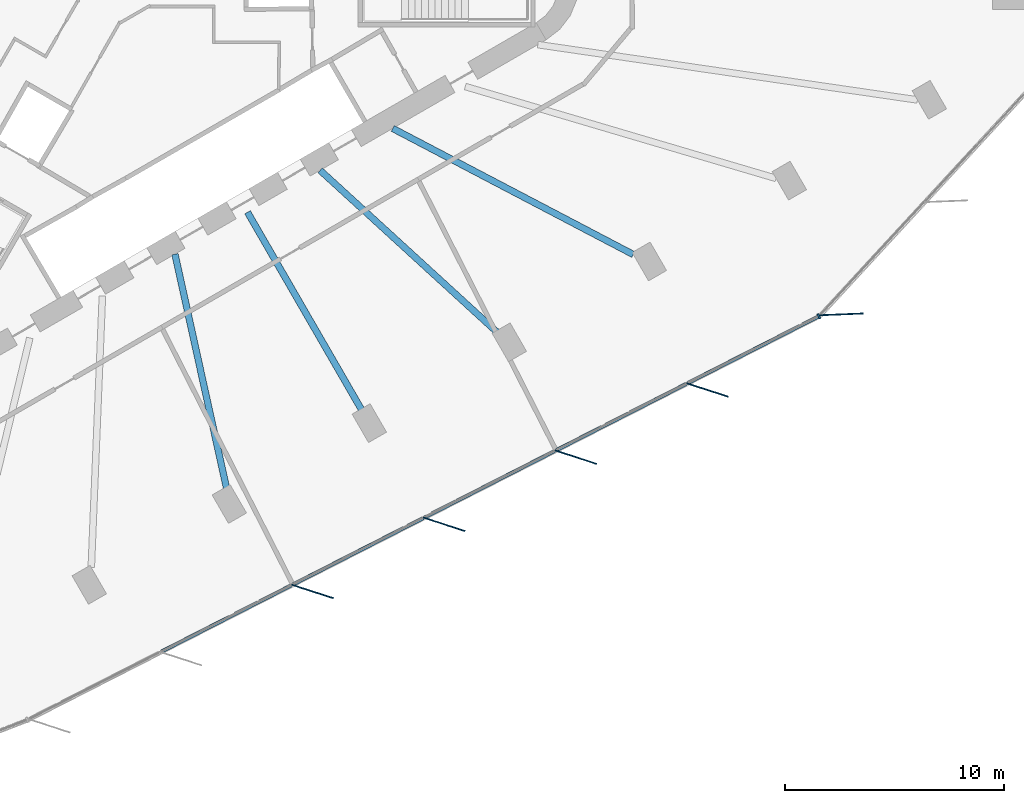
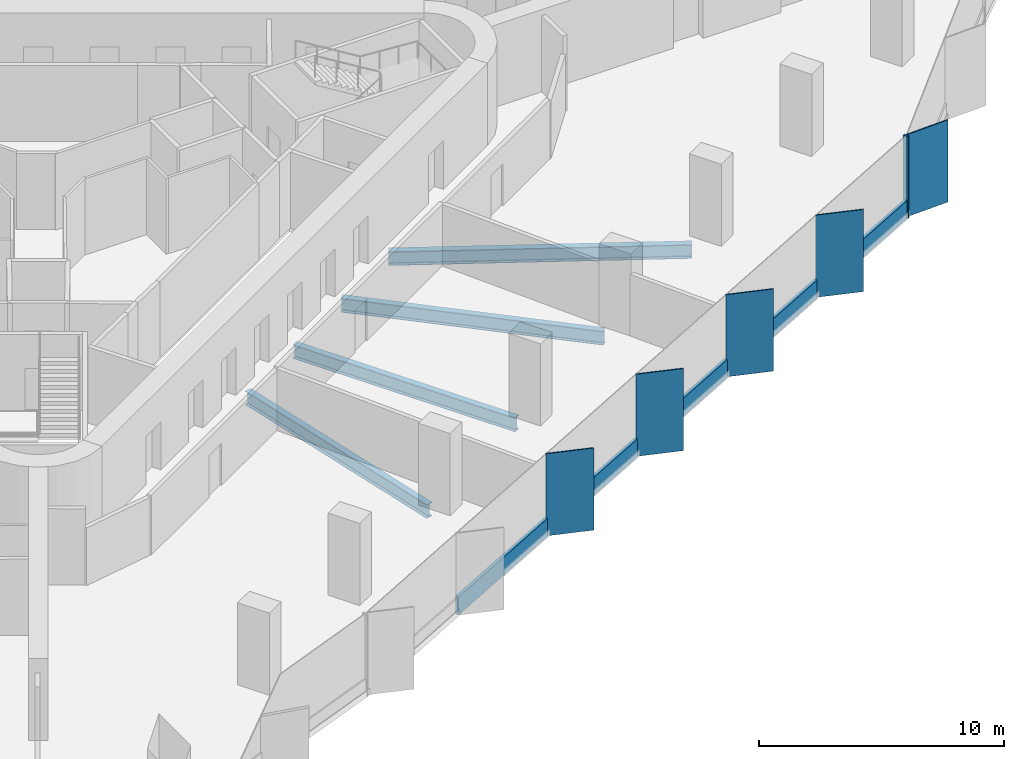
# One storey, part 3 of 14: 11 members, 4 beams, 2 elements without a shape of their own.
"""IFC4 building model written with IfcOpenShell, lengths in metres."""

from ifc_helpers import new_model, si_unit, direction, frame, origin, origin_2d, place, context, subcontext, project, spatial, rectangle, i_section, extrude, material, material_profile, profile_set, type_object, element, aggregate, save


model = new_model("IFC4")

# Units and contexts
model_context = context("Model", 3, precision=1e-05, world=origin(), true_north=direction((0.0, 1.0)))
body_context = subcontext(model_context, "Body", "Model", "MODEL_VIEW")
ifc_project = project(units=[si_unit("LENGTHUNIT", "METRE"), si_unit("AREAUNIT", "SQUARE_METRE"), si_unit("VOLUMEUNIT", "CUBIC_METRE"), si_unit("PLANEANGLEUNIT", "RADIAN"), si_unit("MASSUNIT", "GRAM", prefix="KILO")], contexts=[model_context])

# Site, building, storey
site_placement = place(None, origin())
site = spatial("IfcSite", under=ifc_project, at=site_placement, CompositionType="ELEMENT")
building_placement = place(site_placement, origin())
building = spatial("IfcBuilding", under=site, at=building_placement, Name="Tanit Gate Tower", CompositionType="ELEMENT")
storey_placement = place(building_placement, frame((0.0, 0.0, 70.10009765625)))
storey = spatial("IfcBuildingStorey", under=building, at=storey_placement, Name="L13", CompositionType="ELEMENT", Elevation=70.10009765625)

# Curtain wall, members
ifc_material_1 = material(Name="Aluminium bronze anodised and glass", Category="aluminium")
curtain_wall_type = type_object("IfcCurtainWallType", Name="Curtain wall typical low", PredefinedType="NOTDEFINED", material=ifc_material_1)
curtain_wall_1_placement = place(storey_placement, origin())
curtain_wall_1 = element("IfcCurtainWall", 1, at=curtain_wall_1_placement, inside=storey, type_object=curtain_wall_type, Name="Curtain wall L13 SE2", PredefinedType="NOTDEFINED")
ifc_material_2 = material(Name="Aluminium bronze anodised", Category="aluminium")
ifc_material_profile_1 = material_profile(ifc_material_2, rectangle(XDim=2.0, YDim=0.055908203125, at=origin_2d()), Name="56x2000 bronze fin mullion")
ifc_profile_set_1 = profile_set([ifc_material_profile_1], Name="Aluminium bronze anodised")
member_type_1 = type_object("IfcMemberType", Name="FIN MULLION 56x2000 bronze", PredefinedType="MULLION", material=ifc_profile_set_1)
member_1_placement = place(storey_placement, frame((9.023681640625, -27.818603515625, -0.300048828125), z_axis=(0.0, 0.0, 1.0), x_axis=(-0.951202192353, 0.308568289465, 0.0)))
member_1 = element("IfcMember", 2, at=member_1_placement, type_object=member_type_1, Name="Fin mullion L13 SE2.3", PredefinedType="MULLION", context=body_context, shape_type="SweptSolid", body=[
    extrude(rectangle(XDim=2.0, YDim=0.055908203125, at=origin_2d()), origin(), (0.0, 0.0, 1.0), 4.099853515625),
])
member_2_placement = place(storey_placement, frame((15.04248046875, -24.748291015625, -0.300048828125), z_axis=(0.0, 0.0, 1.0), x_axis=(-0.951202192353, 0.308568289465, 0.0)))
member_2 = element("IfcMember", 3, at=member_2_placement, type_object=member_type_1, Name="Fin mullion L13 SE2.4", PredefinedType="MULLION", context=body_context, shape_type="SweptSolid", body=[
    extrude(rectangle(XDim=2.0, YDim=0.055908203125, at=origin_2d()), origin(), (0.0, 0.0, 1.0), 4.099853515625),
])
member_3_placement = place(storey_placement, frame((21.061279296875, -21.677978515625, -0.300048828125), z_axis=(0.0, 0.0, 1.0), x_axis=(-0.951202192353, 0.308568289465, 0.0)))
member_3 = element("IfcMember", 4, at=member_3_placement, type_object=member_type_1, Name="Fin mullion L13 SE2.5", PredefinedType="MULLION", context=body_context, shape_type="SweptSolid", body=[
    extrude(rectangle(XDim=2.0, YDim=0.055908203125, at=origin_2d()), origin(), (0.0, 0.0, 1.0), 4.099853515625),
])
member_4_placement = place(storey_placement, frame((27.080078125, -18.607666015625, -0.300048828125), z_axis=(0.0, 0.0, 1.0), x_axis=(-0.951202192353, 0.308568289465, 0.0)))
member_4 = element("IfcMember", 5, at=member_4_placement, type_object=member_type_1, Name="Fin mullion L13 SE2.6", PredefinedType="MULLION", context=body_context, shape_type="SweptSolid", body=[
    extrude(rectangle(XDim=2.0, YDim=0.055908203125, at=origin_2d()), origin(), (0.0, 0.0, 1.0), 4.099853515625),
])

# Curtain wall, member
curtain_wall_2_placement = place(storey_placement, origin())
curtain_wall_2 = element("IfcCurtainWall", 6, at=curtain_wall_2_placement, inside=storey, type_object=curtain_wall_type, Name="Curtain wall L13 SE3", PredefinedType="NOTDEFINED")
member_5_placement = place(storey_placement, frame((33.20849609375, -15.14892578125, -0.300048828125), z_axis=(0.0, 0.0, 1.0), x_axis=(-0.999188560879, -0.040276789942, 0.0)))
member_5 = element("IfcMember", 7, at=member_5_placement, type_object=member_type_1, Name="Fin mullion L13 SE3.1", PredefinedType="MULLION", context=body_context, shape_type="SweptSolid", body=[
    extrude(rectangle(XDim=2.0, YDim=0.055908203125, at=origin_2d()), origin(), (0.0, 0.0, 1.0), 4.099853515625),
])
aggregate(curtain_wall_2, [member_5])

# Member
ifc_material_3 = material(Name="Aluminium bronze anodised", Category="aluminium")
ifc_material_profile_2 = material_profile(ifc_material_3, rectangle(XDim=0.239990234375, YDim=0.080078125, at=origin_2d()), Name="80x240 bronze mullion")
ifc_profile_set_2 = profile_set([ifc_material_profile_2], Name="Aluminium bronze anodised")
member_type_2 = type_object("IfcMemberType", Name="Mullion 80x240 typical low", PredefinedType="MULLION", material=ifc_profile_set_2)
member_6_placement = place(storey_placement, frame((32.169189453125, -15.23583984375, -0.300048828125), z_axis=(0.0, 0.0, 1.0), x_axis=(-0.454410790552, 0.890792250432, 0.0)))
member_6 = element("IfcMember", 8, at=member_6_placement, type_object=member_type_2, Name="Mullion L13 SE2.7", PredefinedType="MULLION", context=body_context, shape_type="SweptSolid", body=[
    extrude(rectangle(XDim=0.239990234375, YDim=0.080078125, at=origin_2d()), origin(), (0.0, 0.0, 1.0), 4.099853515625),
])

# Beams
ifc_material_4 = material(Name="Steel S355", Category="steel")
ifc_material_profile_3 = material_profile(ifc_material_4, i_section(OverallWidth=0.300048828125, OverallDepth=0.68994140625, WebThickness=0.014404296875, FlangeThickness=0.027099609375, FilletRadius=0.027099609375, at=origin_2d()), Name="HEA 700")
ifc_profile_set_3 = profile_set([ifc_material_profile_3], Name="Steel S355")
beam_type = type_object("IfcBeamType", Name="RADIAL GIRDER HEA 700 S355", PredefinedType="BEAM", material=ifc_profile_set_3)
beam_1_placement = place(storey_placement, frame((5.101806640625, -23.144287109375, -0.64501953125), z_axis=(-0.215262511862, 0.976556220085, 0.0), x_axis=(-0.976556220085, -0.215262511862, 0.0)))
element("IfcBeam", 9, at=beam_1_placement, inside=storey, type_object=beam_type, Name="RADIAL GIRDER", PredefinedType="BEAM", context=body_context, shape_type="SweptSolid", body=[
    extrude(i_section(OverallWidth=0.300048828125, OverallDepth=0.68994140625, WebThickness=0.014404296875, FlangeThickness=0.027099609375, FilletRadius=0.027099609375, at=origin_2d()), origin(), (0.0, 0.0, 1.0), 11.005859375),
])
beam_2_placement = place(storey_placement, frame((11.29736328125, -19.5673828125, -0.64501953125), z_axis=(-0.500010476433, 0.866019355129, 0.0), x_axis=(-0.866019355129, -0.500010476433, 0.0)))
element("IfcBeam", 10, at=beam_2_placement, inside=storey, type_object=beam_type, Name="RADIAL GIRDER", PredefinedType="BEAM", context=body_context, shape_type="SweptSolid", body=[
    extrude(i_section(OverallWidth=0.300048828125, OverallDepth=0.68994140625, WebThickness=0.014404296875, FlangeThickness=0.027099609375, FilletRadius=0.027099609375, at=origin_2d()), origin(), (0.0, 0.0, 1.0), 10.492431640625),
])
beam_3_placement = place(storey_placement, frame((17.492919921875, -15.990478515625, -0.64501953125), z_axis=(-0.738094457914, 0.674697392315, 0.0), x_axis=(-0.674697392315, -0.738094457914, 0.0)))
element("IfcBeam", 11, at=beam_3_placement, inside=storey, type_object=beam_type, Name="RADIAL GIRDER", PredefinedType="BEAM", context=body_context, shape_type="SweptSolid", body=[
    extrude(i_section(OverallWidth=0.300048828125, OverallDepth=0.68994140625, WebThickness=0.014404296875, FlangeThickness=0.027099609375, FilletRadius=0.027099609375, at=origin_2d()), origin(), (0.0, 0.0, 1.0), 11.006103515625),
])
beam_4_placement = place(storey_placement, frame((23.688232421875, -12.413330078125, -0.64501953125), z_axis=(-0.885753028524, 0.464156840368, 0.0), x_axis=(-0.464156840368, -0.885753028524, 0.0)))
element("IfcBeam", 12, at=beam_4_placement, inside=storey, type_object=beam_type, Name="RADIAL GIRDER", PredefinedType="BEAM", context=body_context, shape_type="SweptSolid", body=[
    extrude(i_section(OverallWidth=0.300048828125, OverallDepth=0.68994140625, WebThickness=0.014404296875, FlangeThickness=0.027099609375, FilletRadius=0.027099609375, at=origin_2d()), origin(), (0.0, 0.0, 1.0), 12.419189453125),
])

# Member
ifc_material_5 = material(Name="Aluminium bronze anodised", Category="aluminium")
ifc_material_profile_4 = material_profile(ifc_material_5, rectangle(XDim=0.159912109375, YDim=0.89990234375, at=origin_2d()), Name="160x900 bronze transom")
ifc_profile_set_4 = profile_set([ifc_material_profile_4], Name="Aluminium bronze anodised")
member_type_3 = type_object("IfcMemberType", Name="Transom 160x900 typical low", PredefinedType="USERDEFINED", material=ifc_profile_set_4)
member_7_placement = place(storey_placement, frame((2.11083984375, -30.5693359375, 0.14990234375), z_axis=(0.890792681995, 0.454409944549, 0.0), x_axis=(-0.454409944549, 0.890792681995, 0.0)))
member_7 = element("IfcMember", 13, at=member_7_placement, type_object=member_type_3, Name="Transom L13 SE2.2", ObjectType="TRANSOM", PredefinedType="USERDEFINED", context=body_context, shape_type="SweptSolid", body=[
    extrude(rectangle(XDim=0.159912109375, YDim=0.89990234375, at=origin_2d()), origin(), (0.0, 0.0, 1.0), 6.6767578125),
])

member_8_placement = place(storey_placement, frame((8.129638671875, -27.4990234375, 0.14990234375), z_axis=(0.890792681995, 0.454409944549, 0.0), x_axis=(-0.454409944549, 0.890792681995, 0.0)))
member_8 = element("IfcMember", 14, at=member_8_placement, type_object=member_type_3, Name="Transom L13 SE2.3", ObjectType="TRANSOM", PredefinedType="USERDEFINED", context=body_context, shape_type="SweptSolid", body=[
    extrude(rectangle(XDim=0.159912109375, YDim=0.89990234375, at=origin_2d()), origin(), (0.0, 0.0, 1.0), 6.6767578125),
])

member_9_placement = place(storey_placement, frame((14.1484375, -24.4287109375, 0.14990234375), z_axis=(0.890792681995, 0.454409944549, 0.0), x_axis=(-0.454409944549, 0.890792681995, 0.0)))
member_9 = element("IfcMember", 15, at=member_9_placement, type_object=member_type_3, Name="Transom L13 SE2.4", ObjectType="TRANSOM", PredefinedType="USERDEFINED", context=body_context, shape_type="SweptSolid", body=[
    extrude(rectangle(XDim=0.159912109375, YDim=0.89990234375, at=origin_2d()), origin(), (0.0, 0.0, 1.0), 6.6767578125),
])

member_10_placement = place(storey_placement, frame((20.167236328125, -21.3583984375, 0.14990234375), z_axis=(0.890792681995, 0.454409944549, 0.0), x_axis=(-0.454409944549, 0.890792681995, 0.0)))
member_10 = element("IfcMember", 16, at=member_10_placement, type_object=member_type_3, Name="Transom L13 SE2.5", ObjectType="TRANSOM", PredefinedType="USERDEFINED", context=body_context, shape_type="SweptSolid", body=[
    extrude(rectangle(XDim=0.159912109375, YDim=0.89990234375, at=origin_2d()), origin(), (0.0, 0.0, 1.0), 6.6767578125),
])

member_11_placement = place(storey_placement, frame((26.18603515625, -18.2880859375, 0.14990234375), z_axis=(0.890792681995, 0.454409944549, 0.0), x_axis=(-0.454409944549, 0.890792681995, 0.0)))
member_11 = element("IfcMember", 17, at=member_11_placement, type_object=member_type_3, Name="Transom L13 SE2.6", ObjectType="TRANSOM", PredefinedType="USERDEFINED", context=body_context, shape_type="SweptSolid", body=[
    extrude(rectangle(XDim=0.159912109375, YDim=0.89990234375, at=origin_2d()), origin(), (0.0, 0.0, 1.0), 6.6767578125),
])

aggregate(curtain_wall_1, [member_1, member_2, member_3, member_4, member_6, member_7, member_8, member_9, member_10, member_11])

save(model, "model.ifc")
